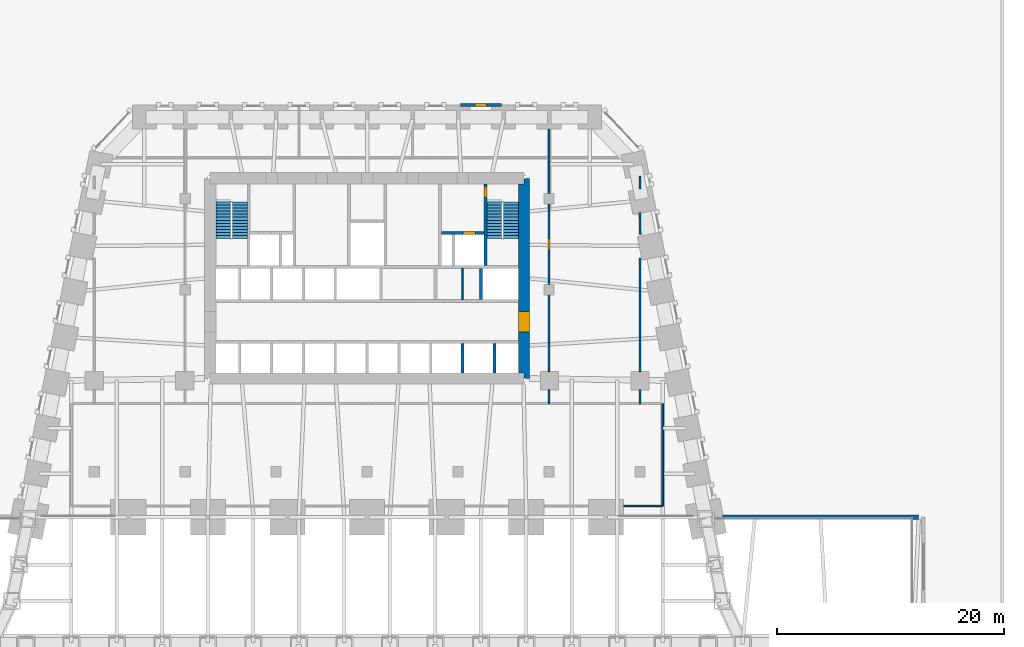
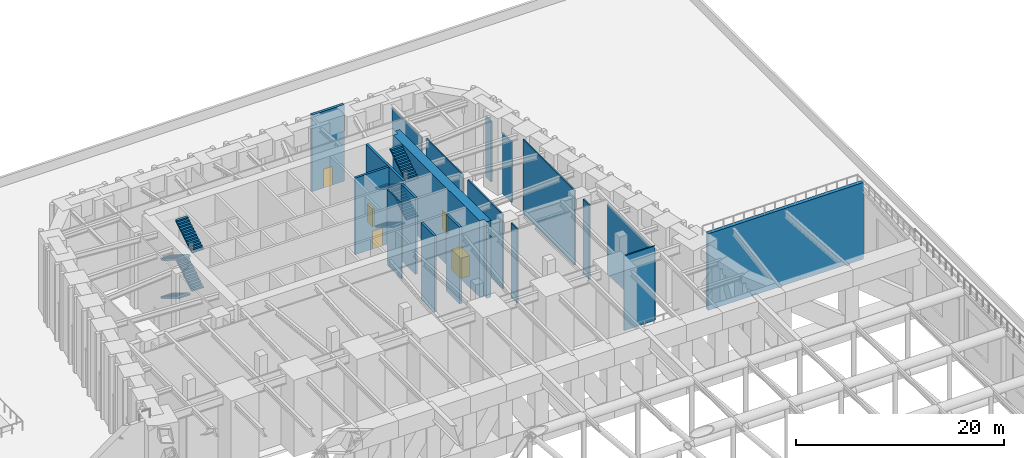
# One storey, part 16 of 20: 19 walls, 8 stair flights, 5 doors, 5 openings, 2 elements without a shape of their own.
"""IFC4 building model written with IfcOpenShell, lengths in metres."""

from ifc_helpers import new_model, si_unit, direction, frame, frame_2d, origin, place, context, subcontext, project, spatial, polyline, rectangle, outline, extrude, material, layer, layer_set, type_object, element, fill, aggregate, save


model = new_model("IFC4")

# Units and contexts
model_context = context("Model", 3, precision=1e-05, world=origin(), true_north=direction((0.0, 1.0)))
body_context = subcontext(model_context, "Body", "Model", "MODEL_VIEW")
ifc_project = project(units=[si_unit("LENGTHUNIT", "METRE"), si_unit("AREAUNIT", "SQUARE_METRE"), si_unit("VOLUMEUNIT", "CUBIC_METRE"), si_unit("PLANEANGLEUNIT", "RADIAN"), si_unit("MASSUNIT", "GRAM", prefix="KILO")], contexts=[model_context])

# Site, building, storey
site_placement = place(None, origin())
site = spatial("IfcSite", under=ifc_project, at=site_placement, CompositionType="ELEMENT")
building_placement = place(site_placement, origin())
building = spatial("IfcBuilding", under=site, at=building_placement, Name="Isbrekke Arena Tower", CompositionType="ELEMENT")
storey_placement = place(building_placement, frame((0.0, 0.0, 19.0)))
storey = spatial("IfcBuildingStorey", under=building, at=storey_placement, Name="L03", CompositionType="ELEMENT", Elevation=19.0)

# Wall
ifc_material_1 = material(Name="Concrete B45 (C45/55)", Category="concrete")
ifc_layer_1 = layer(ifc_material_1, 0.39990234375)
ifc_layer_set_1 = layer_set([ifc_layer_1], Name="AW1 ARENA WALL 400")
wall_type_1 = type_object("IfcWallType", Name="AW1 ARENA WALL 400", PredefinedType="SHEAR", material=ifc_layer_set_1)
wall_1_placement = place(storey_placement, frame((31.25, -6.0, 0.0), z_axis=(0.0, 0.0, 1.0), x_axis=(1.0, 0.0, 0.0)))
element("IfcWall", 1, at=wall_1_placement, inside=storey, type_object=wall_type_1, Name="Arena north wall E L03", PredefinedType="SHEAR", context=body_context, shape_type="SweptSolid", body=[
    extrude(rectangle(XDim=17.25, YDim=0.39990234375, at=frame_2d((8.625, 0.0))), origin(), (0.0, 0.0, 1.0), 9.0),
])

# Wall, opening, door
ifc_material_2 = material(Name="Concrete B65 (C65/80)", Category="concrete")
ifc_layer_2 = layer(ifc_material_2, 1.0)
ifc_layer_set_2 = layer_set([ifc_layer_2], Name="CW1 CORE WALL 1000")
wall_type_2 = type_object("IfcWallType", Name="CW1 CORE WALL 1000", PredefinedType="SHEAR", material=ifc_layer_set_2)
wall_2_placement = place(storey_placement, frame((13.800048828125, 6.199951171875, 0.0), z_axis=(0.0, 0.0, 1.0), x_axis=(0.0, 1.0, 0.0)))
wall_2 = element("IfcWall", 2, at=wall_2_placement, inside=storey, type_object=wall_type_2, Name="Core wall E L03", PredefinedType="SHEAR", context=body_context, shape_type="SweptSolid", body=[
    extrude(outline(polyline([(0.0, -0.5), (17.60009765625, -0.5), (17.60009765625, 0.0), (17.10009765625, 0.0), (17.10009765625, 0.5), (0.5, 0.5), (0.5, 0.0), (0.0, 0.0), (0.0, -0.5)])), origin(), (0.0, 0.0, 1.0), 9.0),
])
opening_1_placement = place(wall_2_placement, frame((4.10009765625, 0.0, 0.0)))
opening_1 = element("IfcOpeningElement", 3, at=opening_1_placement, cuts=wall_2, Name="Opening D1", PredefinedType="OPENING", context=body_context, shape_type="SweptSolid", body=[
    extrude(rectangle(XDim=1.800048828125, YDim=2.39990234375, at=frame_2d((0.89990234375, 1.199951171875))), frame((0.0, 0.514892578125, 0.0), z_axis=(0.0, -1.0, 0.0), x_axis=(1.0, 0.0, 0.0)), (0.0, 0.0, 1.0), 1.02978515625),
])
ifc_material_3 = material(Name="Steel-framed glazed fire door", Category="steel")
door_type_1 = type_object("IfcDoorType", Name="D1 CORE LOBBY DOOR 1800 x 2400", OperationType="DOUBLE_DOOR_SINGLE_SWING", PredefinedType="DOOR", material=ifc_material_3)
door_1_placement = place(opening_1_placement, origin())
door_1 = element("IfcDoor", 4, at=door_1_placement, inside=storey, type_object=door_type_1, Name="D1 lift lobby door east L03", OperationType="DOUBLE_DOOR_SINGLE_SWING", OverallHeight=2.39990234375, OverallWidth=1.800048828125, PredefinedType="DOOR", context=body_context, shape_type="SweptSolid", body=[
    extrude(rectangle(XDim=1.800048828125, YDim=2.39990234375, at=frame_2d((0.89990234375, 1.199951171875))), frame((0.0, 0.499755859375, 0.0), z_axis=(0.0, -1.0, 0.0), x_axis=(1.0, 0.0, 0.0)), (0.0, 0.0, 1.0), 0.99951171875),
])
fill(opening_1, door_1)

# Walls
ifc_material_4 = material(Name="Concrete B45 (C45/55)", Category="concrete")
ifc_layer_3 = layer(ifc_material_4, 0.25)
ifc_layer_set_3 = layer_set([ifc_layer_3], Name="CW6 SHAFT WALL 250")
wall_type_3 = type_object("IfcWallType", Name="CW6 SHAFT WALL 250", PredefinedType="SHEAR", material=ifc_layer_set_3)
for number, where, z_axis, x_axis, name in (
    (5, (8.39990234375, 6.699951171875, 0.0), (0.0, 0.0, 1.0), (0.0, 1.0, 0.0), "Core wall SS08 L03"),
    (6, (11.199951171875, 6.699951171875, 0.0), (0.0, 0.0, 1.0), (0.0, 1.0, 0.0), "Core wall SS09 L03"),
):
    element("IfcWall", number, at=place(storey_placement, frame(where, z_axis=z_axis, x_axis=x_axis)), inside=storey, type_object=wall_type_3, Name=name, PredefinedType="SHEAR", context=body_context, shape_type="SweptSolid", body=[
        extrude(rectangle(XDim=2.574951171875, YDim=0.25, at=frame_2d((1.28759765625, 0.0))), origin(), (0.0, 0.0, 1.0), 9.0),
    ])
wall_3_placement = place(storey_placement, frame((10.0, 13.125, 0.0), z_axis=(0.0, 0.0, 1.0), x_axis=(0.0, 1.0, 0.0)))
element("IfcWall", 7, at=wall_3_placement, inside=storey, type_object=wall_type_3, Name="Core wall SN07 L03", PredefinedType="SHEAR", context=body_context, shape_type="SweptSolid", body=[
    extrude(rectangle(XDim=2.75, YDim=0.25, at=frame_2d((1.375, 0.0))), origin(), (0.0, 0.0, 1.0), 9.0),
])

# Wall, opening, door
wall_4_placement = place(storey_placement, frame((10.39990234375, 16.125, 0.0), z_axis=(0.0, 0.0, 1.0), x_axis=(0.0, 1.0, 0.0)))
wall_4 = element("IfcWall", 8, at=wall_4_placement, inside=storey, type_object=wall_type_3, Name="Core wall NV06 L03", PredefinedType="SHEAR", context=body_context, shape_type="SweptSolid", body=[
    extrude(rectangle(XDim=7.175048828125, YDim=0.25, at=frame_2d((3.58740234375, 0.0))), origin(), (0.0, 0.0, 1.0), 9.0),
])
opening_2_placement = place(wall_4_placement, frame((5.97509765625, 0.0, 0.0)))
opening_2 = element("IfcOpeningElement", 9, at=opening_2_placement, cuts=wall_4, Name="Opening D2", PredefinedType="OPENING", context=body_context, shape_type="SweptSolid", body=[
    extrude(rectangle(XDim=1.0, YDim=2.10009765625, at=frame_2d((0.5, 1.050048828125))), frame((0.0, 0.139892578125, 0.0), z_axis=(0.0, -1.0, 0.0), x_axis=(1.0, 0.0, 0.0)), (0.0, 0.0, 1.0), 0.27978515625),
])
ifc_material_5 = material(Name="Steel fire door", Category="steel")
door_type_2 = type_object("IfcDoorType", Name="D2 STAIR DOOR 1000 x 2100", OperationType="SINGLE_SWING_LEFT", PredefinedType="DOOR", material=ifc_material_5)
door_2_placement = place(opening_2_placement, origin())
door_2 = element("IfcDoor", 10, at=door_2_placement, inside=storey, type_object=door_type_2, Name="D2 stair door ST2 L03", OperationType="SINGLE_SWING_LEFT", OverallHeight=2.10009765625, OverallWidth=1.0, PredefinedType="DOOR", context=body_context, shape_type="SweptSolid", body=[
    extrude(rectangle(XDim=1.0, YDim=2.10009765625, at=frame_2d((0.5, 1.050048828125))), frame((0.0, 0.124755859375, 0.0), z_axis=(0.0, -1.0, 0.0), x_axis=(1.0, 0.0, 0.0)), (0.0, 0.0, 1.0), 0.24951171875),
])
fill(opening_2, door_2)

wall_5_placement = place(storey_placement, frame((6.52490234375, 19.0, 0.0), z_axis=(0.0, 0.0, 1.0), x_axis=(1.0, 0.0, 0.0)))
wall_5 = element("IfcWall", 11, at=wall_5_placement, inside=storey, type_object=wall_type_3, Name="Core wall NFE L03", PredefinedType="SHEAR", context=body_context, shape_type="SweptSolid", body=[
    extrude(rectangle(XDim=3.75, YDim=0.25, at=frame_2d((1.875, 0.0))), origin(), (0.0, 0.0, 1.0), 9.0),
])
opening_3_placement = place(wall_5_placement, frame((1.925048828125, 0.0, 0.0)))
opening_3 = element("IfcOpeningElement", 12, at=opening_3_placement, cuts=wall_5, Name="Opening LD2", PredefinedType="OPENING", context=body_context, shape_type="SweptSolid", body=[
    extrude(rectangle(XDim=1.10009765625, YDim=2.10009765625, at=frame_2d((0.550048828125, 1.050048828125))), frame((0.0, 0.139892578125, 0.0), z_axis=(0.0, -1.0, 0.0), x_axis=(1.0, 0.0, 0.0)), (0.0, 0.0, 1.0), 0.27978515625),
])
ifc_material_6 = material(Name="Stainless steel lift landing door", Category="steel")
door_type_3 = type_object("IfcDoorType", Name="LD2 FIRE-FIGHTING LIFT LANDING DOOR 1100 x 2100", OperationType="SLIDING_TO_RIGHT", PredefinedType="DOOR", material=ifc_material_6)
door_3_placement = place(opening_3_placement, origin())
door_3 = element("IfcDoor", 13, at=door_3_placement, inside=storey, type_object=door_type_3, Name="LD2 lift landing door LF L03", OperationType="SLIDING_TO_RIGHT", OverallHeight=2.10009765625, OverallWidth=1.10009765625, PredefinedType="DOOR", context=body_context, shape_type="SweptSolid", body=[
    extrude(rectangle(XDim=1.10009765625, YDim=2.10009765625, at=frame_2d((0.550048828125, 1.050048828125))), frame((0.0, 0.124755859375, 0.0), z_axis=(0.0, -1.0, 0.0), x_axis=(1.0, 0.0, 0.0)), (0.0, 0.0, 1.0), 0.24951171875),
])
fill(opening_3, door_3)

ifc_material_7 = material(Name="Insulated aluminium panel on steel framing", Category="steel")
ifc_layer_4 = layer(ifc_material_7, 0.300048828125)
ifc_layer_set_4 = layer_set([ifc_layer_4], Name="EW4 INSULATED PANEL WALL 300")
wall_type_4 = type_object("IfcWallType", Name="EW4 INSULATED PANEL WALL 300", PredefinedType="SOLIDWALL", material=ifc_layer_set_4)
wall_6_placement = place(storey_placement, frame((11.800048828125, 30.25, 0.0), z_axis=(0.0, 0.0, 1.0), x_axis=(-1.0, 0.0, 0.0)))
wall_6 = element("IfcWall", 14, at=wall_6_placement, inside=storey, type_object=wall_type_4, Name="EW4 roof access door panel wall L03", PredefinedType="SOLIDWALL", context=body_context, shape_type="SweptSolid", body=[
    extrude(rectangle(XDim=3.60009765625, YDim=0.300048828125, at=frame_2d((1.800048828125, 0.0))), origin(), (0.0, 0.0, 1.0), 9.0),
])
opening_4_placement = place(wall_6_placement, frame((1.300048828125, 0.0, 0.0)))
opening_4 = element("IfcOpeningElement", 15, at=opening_4_placement, cuts=wall_6, Name="Opening DM1", PredefinedType="OPENING", context=body_context, shape_type="SweptSolid", body=[
    extrude(rectangle(XDim=1.0, YDim=2.199951171875, at=frame_2d((0.5, 1.10009765625))), frame((0.0, 0.1650390625, 0.0), z_axis=(0.0, -1.0, 0.0), x_axis=(1.0, 0.0, 0.0)), (0.0, 0.0, 1.0), 0.329833984375),
])
ifc_material_8 = material(Name="Insulated steel door, weatherstripped", Category="steel")
door_type_4 = type_object("IfcDoorType", Name="DM1 ROOF ACCESS DOOR 1000 x 2200", OperationType="SINGLE_SWING_RIGHT", PredefinedType="DOOR", material=ifc_material_8)
door_4_placement = place(opening_4_placement, origin())
door_4 = element("IfcDoor", 16, at=door_4_placement, inside=storey, type_object=door_type_4, Name="DM1 roof access door L03 onto the podium roof, maintenance access only", OperationType="SINGLE_SWING_RIGHT", OverallHeight=2.199951171875, OverallWidth=1.0, PredefinedType="DOOR", context=body_context, shape_type="SweptSolid", body=[
    extrude(rectangle(XDim=1.0, YDim=2.199951171875, at=frame_2d((0.5, 1.10009765625))), frame((0.0, 0.14990234375, 0.0), z_axis=(0.0, -1.0, 0.0), x_axis=(1.0, 0.0, 0.0)), (0.0, 0.0, 1.0), 0.299560546875),
])
fill(opening_4, door_4)

# Walls
ifc_material_9 = material(Name="Gypsum board partition on steel studs", Category="steel")
ifc_layer_5 = layer(ifc_material_9, 0.14990234375)
ifc_layer_set_5 = layer_set([ifc_layer_5], Name="IW1 PARTITION 150")
wall_type_5 = type_object("IfcWallType", Name="IW1 PARTITION 150", PredefinedType="PARTITIONING", material=ifc_layer_set_5)
wall_7_placement = place(storey_placement, frame((16.0, 4.0, 0.0), z_axis=(0.0, 0.0, 1.0), x_axis=(0.0, 1.0, 0.0)))
element("IfcWall", 17, at=wall_7_placement, inside=storey, type_object=wall_type_5, Name="IW1 partition L03", PredefinedType="PARTITIONING", context=body_context, shape_type="SweptSolid", body=[
    extrude(rectangle(XDim=1.18994140625, YDim=0.14990234375, at=frame_2d((0.594970703125, 0.0))), origin(), (0.0, 0.0, 1.0), 8.75),
])
wall_8_placement = place(storey_placement, frame((16.0, 6.81005859375, 0.0), z_axis=(0.0, 0.0, 1.0), x_axis=(0.0, 1.0, 0.0)))
element("IfcWall", 18, at=wall_8_placement, inside=storey, type_object=wall_type_5, Name="IW1 partition L03", PredefinedType="PARTITIONING", context=body_context, shape_type="SweptSolid", body=[
    extrude(rectangle(XDim=6.72998046875, YDim=0.14990234375, at=frame_2d((3.364990234375, 0.0))), origin(), (0.0, 0.0, 1.0), 8.75),
])

# Wall, opening, door
wall_9_placement = place(storey_placement, frame((16.0, 14.4599609375, 0.0), z_axis=(0.0, 0.0, 1.0), x_axis=(0.0, 1.0, 0.0)))
wall_9 = element("IfcWall", 19, at=wall_9_placement, inside=storey, type_object=wall_type_5, Name="IW1 partition L03", PredefinedType="PARTITIONING", context=body_context, shape_type="SweptSolid", body=[
    extrude(rectangle(XDim=7.080078125, YDim=0.14990234375, at=frame_2d((3.5400390625, 0.0))), origin(), (0.0, 0.0, 1.0), 8.75),
])
opening_5_placement = place(wall_9_placement, frame((3.0400390625, 0.0, 0.0)))
opening_5 = element("IfcOpeningElement", 20, at=opening_5_placement, cuts=wall_9, Name="Opening D6", PredefinedType="OPENING", context=body_context, shape_type="SweptSolid", body=[
    extrude(rectangle(XDim=1.0, YDim=2.10009765625, at=frame_2d((0.5, 1.050048828125))), frame((0.0, 0.08984375, 0.0), z_axis=(0.0, -1.0, 0.0), x_axis=(1.0, 0.0, 0.0)), (0.0, 0.0, 1.0), 0.1796875),
])
ifc_material_10 = material(Name="Timber door", Category="wood")
door_type_5 = type_object("IfcDoorType", Name="D6 ROOM DOOR 1000 x 2100", OperationType="SINGLE_SWING_LEFT", PredefinedType="DOOR", material=ifc_material_10)
door_5_placement = place(opening_5_placement, origin())
door_5 = element("IfcDoor", 21, at=door_5_placement, inside=storey, type_object=door_type_5, Name="D6 door L03-01", OperationType="SINGLE_SWING_LEFT", OverallHeight=2.10009765625, OverallWidth=1.0, PredefinedType="DOOR", context=body_context, shape_type="SweptSolid", body=[
    extrude(rectangle(XDim=1.0, YDim=2.10009765625, at=frame_2d((0.5, 1.050048828125))), frame((0.0, 0.07470703125, 0.0), z_axis=(0.0, -1.0, 0.0), x_axis=(1.0, 0.0, 0.0)), (0.0, 0.0, 1.0), 0.1494140625),
])
fill(opening_5, door_5)

# Walls
wall_10_placement = place(storey_placement, frame((16.0, 22.4599609375, 0.0), z_axis=(0.0, 0.0, 1.0), x_axis=(0.0, 1.0, 0.0)))
element("IfcWall", 22, at=wall_10_placement, inside=storey, type_object=wall_type_5, Name="IW1 partition L03", PredefinedType="PARTITIONING", context=body_context, shape_type="SweptSolid", body=[
    extrude(rectangle(XDim=5.655029296875, YDim=0.14990234375, at=frame_2d((2.82763671875, 0.0))), origin(), (0.0, 0.0, 1.0), 8.31689453125),
])
wall_11_placement = place(storey_placement, frame((24.0, 4.0, 0.0), z_axis=(0.0, 0.0, 1.0), x_axis=(0.0, 1.0, 0.0)))
element("IfcWall", 23, at=wall_11_placement, inside=storey, type_object=wall_type_5, Name="IW1 partition L03", PredefinedType="PARTITIONING", context=body_context, shape_type="SweptSolid", body=[
    extrude(rectangle(XDim=1.18994140625, YDim=0.14990234375, at=frame_2d((0.594970703125, 0.0))), origin(), (0.0, 0.0, 1.0), 8.75),
])
wall_12_placement = place(storey_placement, frame((24.0, 6.81005859375, 0.0), z_axis=(0.0, 0.0, 1.0), x_axis=(0.0, 1.0, 0.0)))
element("IfcWall", 24, at=wall_12_placement, inside=storey, type_object=wall_type_5, Name="IW1 partition L03", PredefinedType="PARTITIONING", context=body_context, shape_type="SweptSolid", body=[
    extrude(rectangle(XDim=9.96826171875, YDim=0.14990234375, at=frame_2d((4.984130859375, 0.0))), origin(), (0.0, 0.0, 1.0), 8.75),
])
wall_13_placement = place(storey_placement, frame((24.0, 18.898193359375, 0.0), z_axis=(0.0, 0.0, 1.0), x_axis=(0.0, 1.0, 0.0)))
element("IfcWall", 25, at=wall_13_placement, inside=storey, type_object=wall_type_5, Name="IW1 partition L03", PredefinedType="PARTITIONING", context=body_context, shape_type="SweptSolid", body=[
    extrude(rectangle(XDim=1.880126953125, YDim=0.14990234375, at=frame_2d((0.93994140625, 0.0))), origin(), (0.0, 0.0, 1.0), 7.10009765625),
])
wall_14_placement = place(storey_placement, frame((24.0, 22.898193359375, 0.0), z_axis=(0.0, 0.0, 1.0), x_axis=(0.0, 1.0, 0.0)))
element("IfcWall", 26, at=wall_14_placement, inside=storey, type_object=wall_type_5, Name="IW1 partition L03", PredefinedType="PARTITIONING", context=body_context, shape_type="SweptSolid", body=[
    extrude(rectangle(XDim=1.071044921875, YDim=0.14990234375, at=frame_2d((0.53564453125, 0.0))), origin(), (0.0, 0.0, 1.0), 7.10009765625),
])
wall_15_placement = place(storey_placement, frame((26.0, -5.0, 0.0), z_axis=(0.0, 0.0, 1.0), x_axis=(0.0, 1.0, 0.0)))
element("IfcWall", 27, at=wall_15_placement, inside=storey, type_object=wall_type_5, Name="IW1 partition L03", PredefinedType="PARTITIONING", context=body_context, shape_type="SweptSolid", body=[
    extrude(rectangle(XDim=9.0, YDim=0.14990234375, at=frame_2d((4.5, 0.0))), origin(), (0.0, 0.0, 1.0), 8.1298828125),
])
wall_16_placement = place(storey_placement, frame((22.56005859375, -5.0, 0.0), z_axis=(0.0, 0.0, 1.0), x_axis=(1.0, 0.0, 0.0)))
element("IfcWall", 28, at=wall_16_placement, inside=storey, type_object=wall_type_5, Name="IW1 partition L03", PredefinedType="PARTITIONING", context=body_context, shape_type="SweptSolid", body=[
    extrude(rectangle(XDim=3.43994140625, YDim=0.14990234375, at=frame_2d((1.719970703125, 0.0))), origin(), (0.0, 0.0, 1.0), 8.75),
])
ifc_material_11 = material(Name="Gypsum board fire-rated partition on steel studs, two layers each side", Category="steel")
ifc_layer_6 = layer(ifc_material_11, 0.14990234375)
ifc_layer_set_6 = layer_set([ifc_layer_6], Name="IW5 FIRE-RATED PARTITION 150")
wall_type_6 = type_object("IfcWallType", Name="IW5 FIRE-RATED PARTITION 150", PredefinedType="PARTITIONING", material=ifc_layer_set_6)
wall_17_placement = place(storey_placement, frame((8.39990234375, 13.125, 0.0), z_axis=(0.0, 0.0, 1.0), x_axis=(0.0, 1.0, 0.0)))
element("IfcWall", 29, at=wall_17_placement, inside=storey, type_object=wall_type_6, Name="IW5 fire-rated partition L03 core service rooms 1", PredefinedType="PARTITIONING", context=body_context, shape_type="SweptSolid", body=[
    extrude(rectangle(XDim=2.75, YDim=0.14990234375, at=frame_2d((1.375, 0.0))), origin(), (0.0, 0.0, 1.0), 8.85009765625),
])

# Stair, stair flights
ifc_material_12 = material(Name="Concrete B45 (C45/55) precast", Category="concrete")
stair_type = type_object("IfcStairType", Name="ST90 STAIR 1300 WIDE, 54 RISERS 167", PredefinedType="HALF_TURN_STAIR", material=ifc_material_12)
stair_1_placement = place(storey_placement, origin())
stair_1 = element("IfcStair", 30, at=stair_1_placement, inside=storey, type_object=stair_type, Name="ST1 stair L03", PredefinedType="HALF_TURN_STAIR")
ifc_material_13 = material(Name="Concrete B45 (C45/55) precast", Category="concrete")
stair_flight_type = type_object("IfcStairFlightType", Name="SF 1300 FLIGHT", PredefinedType="STRAIGHT", material=ifc_material_13)
stair_flight_1_placement = place(storey_placement, frame((-12.64990234375, 22.0, 0.0), z_axis=(0.0, 0.0, 1.0), x_axis=(0.0, -1.0, 0.0)))
stair_flight_1 = element("IfcStairFlight", 31, at=stair_flight_1_placement, type_object=stair_flight_type, Name="ST1 flight 1", NumberOfRisers=14, NumberOfTreads=13, PredefinedType="STRAIGHT", RiserHeight=0.166666667, TreadLength=0.27, context=body_context, shape_type="SweptSolid", body=[
    extrude(outline(polyline([(0.0, 0.0), (0.0, 0.166748046875), (0.27001953125, 0.166748046875), (0.27001953125, 0.333251953125), (0.5400390625, 0.333251953125), (0.5400390625, 0.5), (0.81005859375, 0.5), (0.81005859375, 0.666748046875), (1.080078125, 0.666748046875), (1.080078125, 0.833251953125), (1.35009765625, 0.833251953125), (1.35009765625, 1.0), (1.6201171875, 1.0), (1.6201171875, 1.166748046875), (1.889892578125, 1.166748046875), (1.889892578125, 1.333251953125), (2.159912109375, 1.333251953125), (2.159912109375, 1.5), (2.429931640625, 1.5), (2.429931640625, 1.666748046875), (2.699951171875, 1.666748046875), (2.699951171875, 1.833251953125), (2.969970703125, 1.833251953125), (2.969970703125, 2.0), (3.239990234375, 2.0), (3.239990234375, 2.166748046875), (3.510009765625, 2.166748046875), (3.510009765625, 2.333251953125), (3.510009765625, 1.990478515625), (0.285400390625, 0.0), (0.0, 0.0)])), frame((0.0, 0.64990234375, 0.0), z_axis=(0.0, -1.0, 0.0), x_axis=(1.0, 0.0, 0.0)), (0.0, 0.0, 1.0), 1.300048828125),
])
stair_flight_2_placement = place(storey_placement, frame((-11.175048828125, 18.489990234375, 2.333251953125), z_axis=(0.0, 0.0, 1.0), x_axis=(0.0, 1.0, 0.0)))
stair_flight_2 = element("IfcStairFlight", 32, at=stair_flight_2_placement, type_object=stair_flight_type, Name="ST1 flight 2", NumberOfRisers=13, NumberOfTreads=12, PredefinedType="STRAIGHT", RiserHeight=0.166666667, TreadLength=0.27, context=body_context, shape_type="SweptSolid", body=[
    extrude(outline(polyline([(0.0, 0.0), (0.0, 0.166748046875), (0.27001953125, 0.166748046875), (0.27001953125, 0.333251953125), (0.5400390625, 0.333251953125), (0.5400390625, 0.5), (0.81005859375, 0.5), (0.81005859375, 0.666748046875), (1.080078125, 0.666748046875), (1.080078125, 0.833251953125), (1.35009765625, 0.833251953125), (1.35009765625, 1.0), (1.6201171875, 1.0), (1.6201171875, 1.166748046875), (1.889892578125, 1.166748046875), (1.889892578125, 1.333251953125), (2.159912109375, 1.333251953125), (2.159912109375, 1.5), (2.429931640625, 1.5), (2.429931640625, 1.666748046875), (2.699951171875, 1.666748046875), (2.699951171875, 1.833251953125), (2.969970703125, 1.833251953125), (2.969970703125, 2.0), (3.239990234375, 2.0), (3.239990234375, 2.166748046875), (3.239990234375, 1.82373046875), (0.285400390625, 0.0), (0.0, 0.0)])), frame((0.0, 0.64990234375, 0.0), z_axis=(0.0, -1.0, 0.0), x_axis=(1.0, 0.0, 0.0)), (0.0, 0.0, 1.0), 1.300048828125),
])
stair_flight_3_placement = place(storey_placement, frame((-12.64990234375, 22.0, 4.5), z_axis=(0.0, 0.0, 1.0), x_axis=(0.0, -1.0, 0.0)))
stair_flight_3 = element("IfcStairFlight", 33, at=stair_flight_3_placement, type_object=stair_flight_type, Name="ST1 flight 3", NumberOfRisers=14, NumberOfTreads=13, PredefinedType="STRAIGHT", RiserHeight=0.166666667, TreadLength=0.27, context=body_context, shape_type="SweptSolid", body=[
    extrude(outline(polyline([(0.0, 0.0), (0.0, 0.166748046875), (0.27001953125, 0.166748046875), (0.27001953125, 0.333251953125), (0.5400390625, 0.333251953125), (0.5400390625, 0.5), (0.81005859375, 0.5), (0.81005859375, 0.666748046875), (1.080078125, 0.666748046875), (1.080078125, 0.833251953125), (1.35009765625, 0.833251953125), (1.35009765625, 1.0), (1.6201171875, 1.0), (1.6201171875, 1.166748046875), (1.889892578125, 1.166748046875), (1.889892578125, 1.333251953125), (2.159912109375, 1.333251953125), (2.159912109375, 1.5), (2.429931640625, 1.5), (2.429931640625, 1.666748046875), (2.699951171875, 1.666748046875), (2.699951171875, 1.833251953125), (2.969970703125, 1.833251953125), (2.969970703125, 2.0), (3.239990234375, 2.0), (3.239990234375, 2.166748046875), (3.510009765625, 2.166748046875), (3.510009765625, 2.333251953125), (3.510009765625, 1.990478515625), (0.285400390625, 0.0), (0.0, 0.0)])), frame((0.0, 0.64990234375, 0.0), z_axis=(0.0, -1.0, 0.0), x_axis=(1.0, 0.0, 0.0)), (0.0, 0.0, 1.0), 1.300048828125),
])
stair_flight_4_placement = place(storey_placement, frame((-11.175048828125, 18.489990234375, 6.833251953125), z_axis=(0.0, 0.0, 1.0), x_axis=(0.0, 1.0, 0.0)))
stair_flight_4 = element("IfcStairFlight", 34, at=stair_flight_4_placement, type_object=stair_flight_type, Name="ST1 flight 4", NumberOfRisers=13, NumberOfTreads=12, PredefinedType="STRAIGHT", RiserHeight=0.166666667, TreadLength=0.27, context=body_context, shape_type="SweptSolid", body=[
    extrude(outline(polyline([(0.0, 0.0), (0.0, 0.166748046875), (0.27001953125, 0.166748046875), (0.27001953125, 0.333251953125), (0.5400390625, 0.333251953125), (0.5400390625, 0.5), (0.81005859375, 0.5), (0.81005859375, 0.666748046875), (1.080078125, 0.666748046875), (1.080078125, 0.833251953125), (1.35009765625, 0.833251953125), (1.35009765625, 1.0), (1.6201171875, 1.0), (1.6201171875, 1.166748046875), (1.889892578125, 1.166748046875), (1.889892578125, 1.333251953125), (2.159912109375, 1.333251953125), (2.159912109375, 1.5), (2.429931640625, 1.5), (2.429931640625, 1.666748046875), (2.699951171875, 1.666748046875), (2.699951171875, 1.833251953125), (2.969970703125, 1.833251953125), (2.969970703125, 2.0), (3.239990234375, 2.0), (3.239990234375, 2.166748046875), (3.239990234375, 1.82373046875), (0.285400390625, 0.0), (0.0, 0.0)])), frame((0.0, 0.64990234375, 0.0), z_axis=(0.0, -1.0, 0.0), x_axis=(1.0, 0.0, 0.0)), (0.0, 0.0, 1.0), 1.300048828125),
])
aggregate(stair_1, [stair_flight_1, stair_flight_2, stair_flight_3, stair_flight_4])

stair_2_placement = place(storey_placement, origin())
stair_2 = element("IfcStair", 35, at=stair_2_placement, inside=storey, type_object=stair_type, Name="ST2 stair L03", PredefinedType="HALF_TURN_STAIR")
stair_flight_5_placement = place(storey_placement, frame((11.175048828125, 22.0, 0.0), z_axis=(0.0, 0.0, 1.0), x_axis=(0.0, -1.0, 0.0)))
stair_flight_5 = element("IfcStairFlight", 36, at=stair_flight_5_placement, type_object=stair_flight_type, Name="ST2 flight 1", NumberOfRisers=14, NumberOfTreads=13, PredefinedType="STRAIGHT", RiserHeight=0.166666667, TreadLength=0.27, context=body_context, shape_type="SweptSolid", body=[
    extrude(outline(polyline([(0.0, 0.0), (0.0, 0.166748046875), (0.27001953125, 0.166748046875), (0.27001953125, 0.333251953125), (0.5400390625, 0.333251953125), (0.5400390625, 0.5), (0.81005859375, 0.5), (0.81005859375, 0.666748046875), (1.080078125, 0.666748046875), (1.080078125, 0.833251953125), (1.35009765625, 0.833251953125), (1.35009765625, 1.0), (1.6201171875, 1.0), (1.6201171875, 1.166748046875), (1.889892578125, 1.166748046875), (1.889892578125, 1.333251953125), (2.159912109375, 1.333251953125), (2.159912109375, 1.5), (2.429931640625, 1.5), (2.429931640625, 1.666748046875), (2.699951171875, 1.666748046875), (2.699951171875, 1.833251953125), (2.969970703125, 1.833251953125), (2.969970703125, 2.0), (3.239990234375, 2.0), (3.239990234375, 2.166748046875), (3.510009765625, 2.166748046875), (3.510009765625, 2.333251953125), (3.510009765625, 1.990478515625), (0.285400390625, 0.0), (0.0, 0.0)])), frame((0.0, 0.64990234375, 0.0), z_axis=(0.0, -1.0, 0.0), x_axis=(1.0, 0.0, 0.0)), (0.0, 0.0, 1.0), 1.300048828125),
])
stair_flight_6_placement = place(storey_placement, frame((12.64990234375, 18.489990234375, 2.333251953125), z_axis=(0.0, 0.0, 1.0), x_axis=(0.0, 1.0, 0.0)))
stair_flight_6 = element("IfcStairFlight", 37, at=stair_flight_6_placement, type_object=stair_flight_type, Name="ST2 flight 2", NumberOfRisers=13, NumberOfTreads=12, PredefinedType="STRAIGHT", RiserHeight=0.166666667, TreadLength=0.27, context=body_context, shape_type="SweptSolid", body=[
    extrude(outline(polyline([(0.0, 0.0), (0.0, 0.166748046875), (0.27001953125, 0.166748046875), (0.27001953125, 0.333251953125), (0.5400390625, 0.333251953125), (0.5400390625, 0.5), (0.81005859375, 0.5), (0.81005859375, 0.666748046875), (1.080078125, 0.666748046875), (1.080078125, 0.833251953125), (1.35009765625, 0.833251953125), (1.35009765625, 1.0), (1.6201171875, 1.0), (1.6201171875, 1.166748046875), (1.889892578125, 1.166748046875), (1.889892578125, 1.333251953125), (2.159912109375, 1.333251953125), (2.159912109375, 1.5), (2.429931640625, 1.5), (2.429931640625, 1.666748046875), (2.699951171875, 1.666748046875), (2.699951171875, 1.833251953125), (2.969970703125, 1.833251953125), (2.969970703125, 2.0), (3.239990234375, 2.0), (3.239990234375, 2.166748046875), (3.239990234375, 1.82373046875), (0.285400390625, 0.0), (0.0, 0.0)])), frame((0.0, 0.64990234375, 0.0), z_axis=(0.0, -1.0, 0.0), x_axis=(1.0, 0.0, 0.0)), (0.0, 0.0, 1.0), 1.300048828125),
])
stair_flight_7_placement = place(storey_placement, frame((11.175048828125, 22.0, 4.5), z_axis=(0.0, 0.0, 1.0), x_axis=(0.0, -1.0, 0.0)))
stair_flight_7 = element("IfcStairFlight", 38, at=stair_flight_7_placement, type_object=stair_flight_type, Name="ST2 flight 3", NumberOfRisers=14, NumberOfTreads=13, PredefinedType="STRAIGHT", RiserHeight=0.166666667, TreadLength=0.27, context=body_context, shape_type="SweptSolid", body=[
    extrude(outline(polyline([(0.0, 0.0), (0.0, 0.166748046875), (0.27001953125, 0.166748046875), (0.27001953125, 0.333251953125), (0.5400390625, 0.333251953125), (0.5400390625, 0.5), (0.81005859375, 0.5), (0.81005859375, 0.666748046875), (1.080078125, 0.666748046875), (1.080078125, 0.833251953125), (1.35009765625, 0.833251953125), (1.35009765625, 1.0), (1.6201171875, 1.0), (1.6201171875, 1.166748046875), (1.889892578125, 1.166748046875), (1.889892578125, 1.333251953125), (2.159912109375, 1.333251953125), (2.159912109375, 1.5), (2.429931640625, 1.5), (2.429931640625, 1.666748046875), (2.699951171875, 1.666748046875), (2.699951171875, 1.833251953125), (2.969970703125, 1.833251953125), (2.969970703125, 2.0), (3.239990234375, 2.0), (3.239990234375, 2.166748046875), (3.510009765625, 2.166748046875), (3.510009765625, 2.333251953125), (3.510009765625, 1.990478515625), (0.285400390625, 0.0), (0.0, 0.0)])), frame((0.0, 0.64990234375, 0.0), z_axis=(0.0, -1.0, 0.0), x_axis=(1.0, 0.0, 0.0)), (0.0, 0.0, 1.0), 1.300048828125),
])
stair_flight_8_placement = place(storey_placement, frame((12.64990234375, 18.489990234375, 6.833251953125), z_axis=(0.0, 0.0, 1.0), x_axis=(0.0, 1.0, 0.0)))
stair_flight_8 = element("IfcStairFlight", 39, at=stair_flight_8_placement, type_object=stair_flight_type, Name="ST2 flight 4", NumberOfRisers=13, NumberOfTreads=12, PredefinedType="STRAIGHT", RiserHeight=0.166666667, TreadLength=0.27, context=body_context, shape_type="SweptSolid", body=[
    extrude(outline(polyline([(0.0, 0.0), (0.0, 0.166748046875), (0.27001953125, 0.166748046875), (0.27001953125, 0.333251953125), (0.5400390625, 0.333251953125), (0.5400390625, 0.5), (0.81005859375, 0.5), (0.81005859375, 0.666748046875), (1.080078125, 0.666748046875), (1.080078125, 0.833251953125), (1.35009765625, 0.833251953125), (1.35009765625, 1.0), (1.6201171875, 1.0), (1.6201171875, 1.166748046875), (1.889892578125, 1.166748046875), (1.889892578125, 1.333251953125), (2.159912109375, 1.333251953125), (2.159912109375, 1.5), (2.429931640625, 1.5), (2.429931640625, 1.666748046875), (2.699951171875, 1.666748046875), (2.699951171875, 1.833251953125), (2.969970703125, 1.833251953125), (2.969970703125, 2.0), (3.239990234375, 2.0), (3.239990234375, 2.166748046875), (3.239990234375, 1.82373046875), (0.285400390625, 0.0), (0.0, 0.0)])), frame((0.0, 0.64990234375, 0.0), z_axis=(0.0, -1.0, 0.0), x_axis=(1.0, 0.0, 0.0)), (0.0, 0.0, 1.0), 1.300048828125),
])
aggregate(stair_2, [stair_flight_5, stair_flight_6, stair_flight_7, stair_flight_8])

save(model, "model.ifc")
